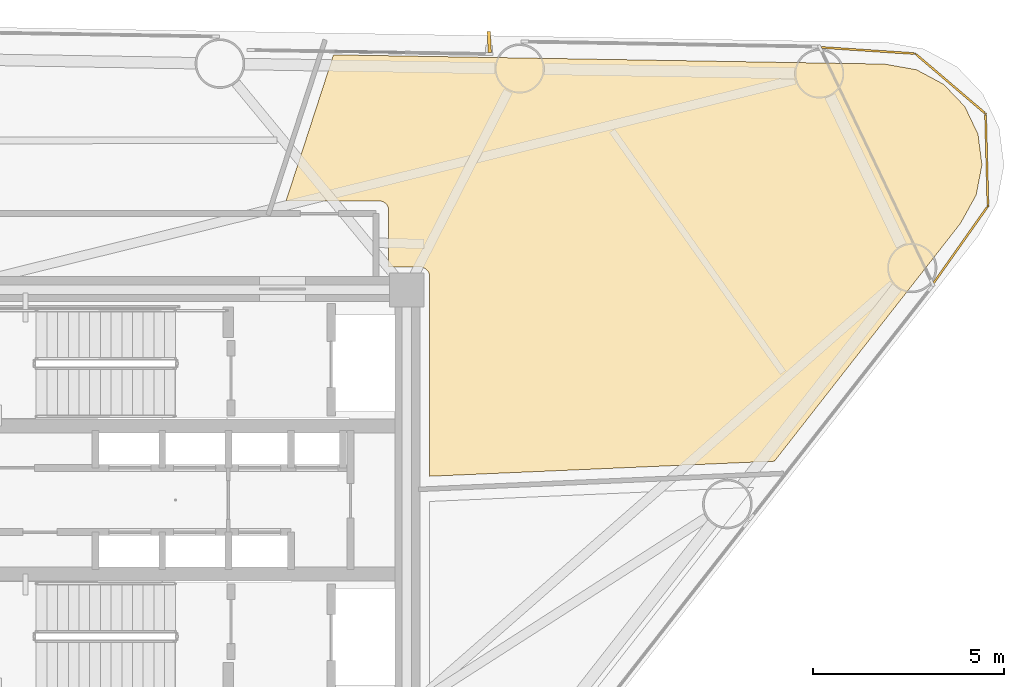
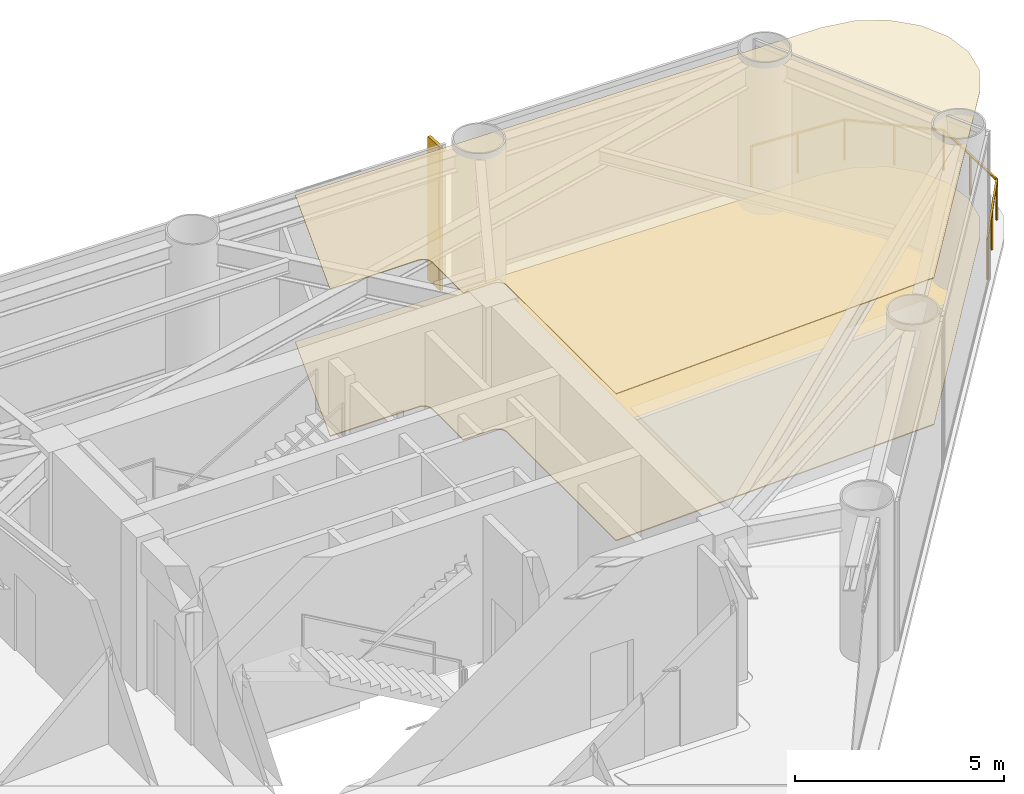
# One storey, part 11 of 11: 2 coverings, 1 railing, 1 shading device.
"""IFC4 building model written with IfcOpenShell, lengths in metres."""

from ifc_helpers import new_model, si_unit, direction, frame, origin, origin_2d, place, context, subcontext, project, spatial, polyline, rectangle, outline, extrude, source, transform, mapped, material, layer, layer_set, material_profile, profile_set, type_object, element, save


model = new_model("IFC4")

# Units and contexts
model_context = context("Model", 3, precision=1e-05, world=origin(), true_north=direction((0.0, 1.0)))
body_context = subcontext(model_context, "Body", "Model", "MODEL_VIEW")
ifc_project = project(units=[si_unit("LENGTHUNIT", "METRE"), si_unit("AREAUNIT", "SQUARE_METRE"), si_unit("VOLUMEUNIT", "CUBIC_METRE"), si_unit("PLANEANGLEUNIT", "RADIAN"), si_unit("MASSUNIT", "GRAM", prefix="KILO")], contexts=[model_context])

# Site, building, storey
site_placement = place(None, origin())
site = spatial("IfcSite", under=ifc_project, at=site_placement, CompositionType="ELEMENT")
building_placement = place(site_placement, origin())
building = spatial("IfcBuilding", under=site, at=building_placement, Name="Yunling Apex Tower", CompositionType="ELEMENT")
storey_placement = place(building_placement, frame((0.0, 0.0, 125.0)))
storey = spatial("IfcBuildingStorey", under=building, at=storey_placement, Name="L30", CompositionType="ELEMENT", Elevation=125.0)

# Coverings
ifc_material_1 = material(Name="Acoustic mineral fibre ceiling")
ifc_layer_1 = layer(ifc_material_1, 0.02490234375)
ifc_layer_set_1 = layer_set([ifc_layer_1], Name="Acoustic mineral fibre ceiling")
covering_type_1 = type_object("IfcCoveringType", Name="CV-CLG-1", PredefinedType="CEILING", material=ifc_layer_set_1)
covering_1_placement = place(storey_placement, frame((0.0, 0.0, 4.294921875)))
element("IfcCovering", 1, at=covering_1_placement, inside=storey, type_object=covering_type_1, Name="CV-CL-SP-L30-R03", PredefinedType="CEILING", context=body_context, shape_type="SweptSolid", body=[
    extrude(outline(polyline([(4.134521484375, 11.656982421875), (18.562255859375, 11.4150390625), (19.400390625, 11.266845703125), (20.1103515625, 10.88623046875), (20.66650390625, 10.3037109375), (21.012939453125, 9.576416015625), (21.115966796875, 8.777587890625), (20.965087890625, 7.986572265625), (20.552734375, 7.24169921875), (15.680908203125, 1.014892578125), (6.64990234375, 0.62060546875), (6.64990234375, 5.853759765625), (6.6494140625, 5.875), (6.64501953125, 5.900634765625), (6.639404296875, 5.922607421875), (6.631591796875, 5.94482421875), (6.62060546875, 5.96826171875), (6.607421875, 5.989990234375), (6.593505859375, 6.0087890625), (6.576904296875, 6.02685546875), (6.55859375, 6.04345703125), (6.5400390625, 6.057373046875), (6.518310546875, 6.07080078125), (6.494873046875, 6.08154296875), (6.472412109375, 6.089599609375), (6.45068359375, 6.094970703125), (6.4248046875, 6.099365234375), (6.40380859375, 6.10009765625), (5.580078125, 6.10009765625), (5.580078125, 7.583740234375), (5.579345703125, 7.60498046875), (5.574951171875, 7.630615234375), (5.569580078125, 7.652587890625), (5.5615234375, 7.6748046875), (5.55078125, 7.6982421875), (5.537353515625, 7.719970703125), (5.5234375, 7.73876953125), (5.5068359375, 7.7568359375), (5.48876953125, 7.7734375), (5.469970703125, 7.787353515625), (5.4482421875, 7.80078125), (5.4248046875, 7.8115234375), (5.402587890625, 7.819580078125), (5.380615234375, 7.824951171875), (5.35498046875, 7.829345703125), (5.333740234375, 7.830078125), (2.89111328125, 7.830078125), (4.134521484375, 11.656982421875)])), origin(), (0.0, 0.0, 1.0), 0.025146484375),
])
ifc_material_2 = material(Name="Polished granite stone", Category="masonry")
ifc_layer_2 = layer(ifc_material_2, 0.030029296875)
ifc_layer_set_2 = layer_set([ifc_layer_2], Name="Polished granite stone")
covering_type_2 = type_object("IfcCoveringType", Name="CV-FLR-1", PredefinedType="FLOORING", material=ifc_layer_set_2)
covering_2_placement = place(storey_placement, origin())
element("IfcCovering", 2, at=covering_2_placement, inside=storey, type_object=covering_type_2, Name="CV-FL-SP-L30-R03", PredefinedType="FLOORING", context=body_context, shape_type="SweptSolid", body=[
    extrude(outline(polyline([(4.134521484375, 11.656982421875), (18.562255859375, 11.4150390625), (19.400390625, 11.266845703125), (20.1103515625, 10.88623046875), (20.66650390625, 10.3037109375), (21.012939453125, 9.576416015625), (21.115966796875, 8.777587890625), (20.965087890625, 7.986572265625), (20.552734375, 7.24169921875), (15.680908203125, 1.014892578125), (6.64990234375, 0.62060546875), (6.64990234375, 5.853759765625), (6.6494140625, 5.875), (6.64501953125, 5.900634765625), (6.639404296875, 5.922607421875), (6.631591796875, 5.94482421875), (6.62060546875, 5.96826171875), (6.607421875, 5.989990234375), (6.593505859375, 6.0087890625), (6.576904296875, 6.02685546875), (6.55859375, 6.04345703125), (6.5400390625, 6.057373046875), (6.518310546875, 6.07080078125), (6.494873046875, 6.08154296875), (6.472412109375, 6.089599609375), (6.45068359375, 6.094970703125), (6.4248046875, 6.099365234375), (6.40380859375, 6.10009765625), (5.580078125, 6.10009765625), (5.580078125, 7.583740234375), (5.579345703125, 7.60498046875), (5.574951171875, 7.630615234375), (5.569580078125, 7.652587890625), (5.5615234375, 7.6748046875), (5.55078125, 7.6982421875), (5.537353515625, 7.719970703125), (5.5234375, 7.73876953125), (5.5068359375, 7.7568359375), (5.48876953125, 7.7734375), (5.469970703125, 7.787353515625), (5.4482421875, 7.80078125), (5.4248046875, 7.8115234375), (5.402587890625, 7.819580078125), (5.380615234375, 7.824951171875), (5.35498046875, 7.829345703125), (5.333740234375, 7.830078125), (2.89111328125, 7.830078125), (4.134521484375, 11.656982421875)])), origin(), (0.0, 0.0, 1.0), 0.030029296875),
])

# Railing
ifc_material_3 = material(Name="Bronze anodised aluminium", Category="aluminium")
railing_type = type_object("IfcRailingType", Name="RL-BAL-1200", PredefinedType="BALUSTRADE", material=ifc_material_3)
railing_placement = place(storey_placement, frame((16.8701171875, 11.853515625, 0.0)))
element("IfcRailing", 3, at=railing_placement, inside=storey, type_object=railing_type, Name="RL-CRNSILL-L30-1", PredefinedType="BALUSTRADE", context=body_context, shape_type="SweptSolid", body=[
    extrude(rectangle(XDim=0.0439453125, YDim=0.0439453125, at=origin_2d()), origin(), (0.0, 0.0, 1.0), 1.199951171875),
    extrude(rectangle(XDim=0.0439453125, YDim=0.0439453125, at=origin_2d()), frame((2.498779296875, -0.164794921875, 0.0)), (0.0, 0.0, 1.0), 1.199951171875),
    extrude(rectangle(XDim=0.050048828125, YDim=0.050048828125, at=origin_2d()), frame((0.038330078125, -0.00244140625, 1.1748046875), z_axis=(0.99783235592, -0.065807214484, 0.0), x_axis=(0.065807214484, 0.99783235592, 0.0)), (0.0, 0.0, 1.0), 2.427490234375),
    extrude(rectangle(XDim=0.0439453125, YDim=0.0439453125, at=origin_2d()), frame((1.24951171875, -0.08251953125, 0.0)), (0.0, 0.0, 1.0), 1.14599609375),
    extrude(rectangle(XDim=0.0439453125, YDim=0.0439453125, at=origin_2d()), frame((4.339599609375, -1.737060546875, 0.0)), (0.0, 0.0, 1.0), 1.199951171875),
    extrude(rectangle(XDim=0.050048828125, YDim=0.050048828125, at=origin_2d()), frame((2.52783203125, -0.189697265625, 1.1748046875), z_axis=(0.760394429478, -0.649461555151, 0.0), x_axis=(0.649461555151, 0.760394429478, 0.0)), (0.0, 0.0, 1.0), 2.34423828125),
    extrude(rectangle(XDim=0.0439453125, YDim=0.0439453125, at=origin_2d()), frame((3.419189453125, -0.950927734375, 0.0)), (0.0, 0.0, 1.0), 1.14599609375),
    extrude(rectangle(XDim=0.0439453125, YDim=0.0439453125, at=origin_2d()), frame((4.403076171875, -4.156982421875, 0.0)), (0.0, 0.0, 1.0), 1.199951171875),
    extrude(rectangle(XDim=0.050048828125, YDim=0.050048828125, at=origin_2d()), frame((4.340576171875, -1.775390625, 1.1748046875), z_axis=(0.026221811823, -0.999656149176, 0.0), x_axis=(0.999656149176, 0.026221811823, 0.0)), (0.0, 0.0, 1.0), 2.343994140625),
    extrude(rectangle(XDim=0.0439453125, YDim=0.0439453125, at=origin_2d()), frame((4.371337890625, -2.947021484375, 0.0)), (0.0, 0.0, 1.0), 1.14599609375),
    extrude(rectangle(XDim=0.0439453125, YDim=0.0439453125, at=origin_2d()), frame((2.95849609375, -6.20263671875, 0.0)), (0.0, 0.0, 1.0), 1.199951171875),
    extrude(rectangle(XDim=0.050048828125, YDim=0.050048828125, at=origin_2d()), frame((4.380859375, -4.188232421875, 1.1748046875), z_axis=(-0.576840114355, -0.816857075914, 0.0), x_axis=(0.816857075914, -0.576840114355, 0.0)), (0.0, 0.0, 1.0), 2.427734375),
    extrude(rectangle(XDim=0.0439453125, YDim=0.0439453125, at=origin_2d()), frame((3.6806640625, -5.1796875, 0.0)), (0.0, 0.0, 1.0), 1.14599609375),
])

# Shading device
ifc_material_profile = material_profile(ifc_material_3, rectangle(XDim=0.0849609375, YDim=0.550048828125, at=origin_2d()))
ifc_profile_set = profile_set([ifc_material_profile], Name="Bronze anodised aluminium")
shading_device_type = type_object("IfcShadingDeviceType", Name="FN-BRZ-3", PredefinedType="USERDEFINED", material=ifc_profile_set)
shared_shape = source(origin(), body_context, "Body", "SweptSolid", [
    extrude(rectangle(XDim=0.0849609375, YDim=0.550048828125, at=origin_2d()), origin(), (0.0, 0.0, 1.0), 4.199951171875),
])
shading_device_placement = place(storey_placement, frame((8.213623046875, 11.99365234375, 0.06005859375), z_axis=(0.0, 0.0, 1.0), x_axis=(-0.998814648022, -0.048675444496, 0.0)))
element("IfcShadingDevice", 4, at=shading_device_placement, inside=storey, type_object=shading_device_type, Name="CW-L30-F2-B2-FIN-01", ObjectType="FIN", PredefinedType="USERDEFINED", context=body_context, shape_type="MappedRepresentation", body=[
    mapped(shared_shape, transform((0.0, 0.0, 0.0), scale=1.0)),
])

save(model, "model.ifc")
